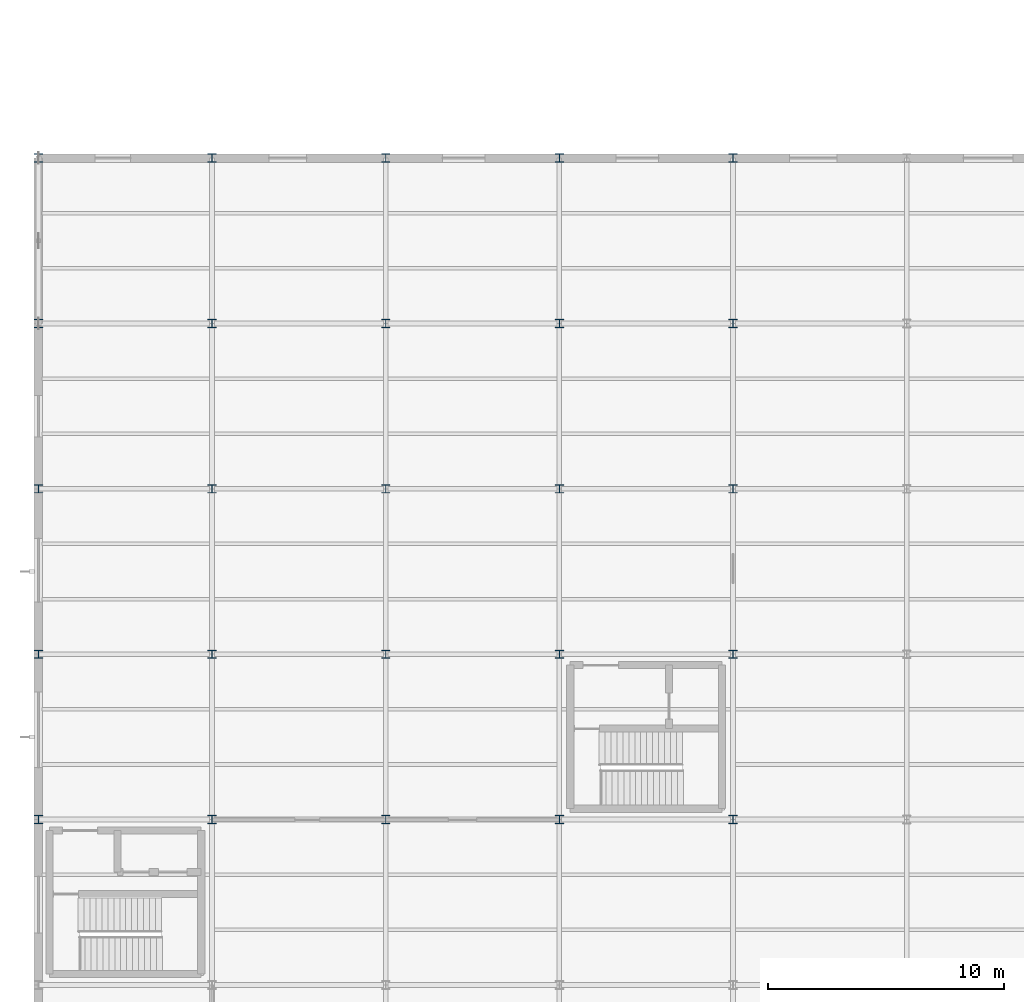
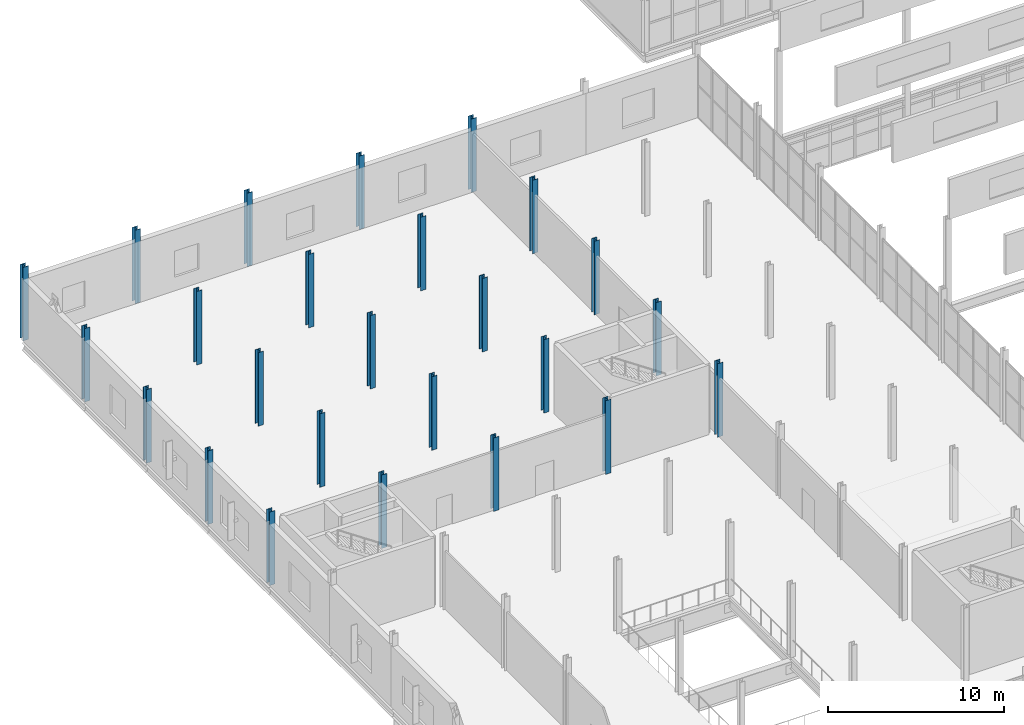
# One storey, part 3 of 218: 25 columns.
"""IFC4 building model written with IfcOpenShell, lengths in metres."""

from ifc_helpers import new_model, si_unit, direction, frame, origin, origin_2d, place, context, subcontext, project, spatial, i_section, extrude, material, material_profile, profile_set, type_object, element, save


model = new_model("IFC4")

# Units and contexts
model_context = context("Model", 3, precision=1e-05, world=origin(), true_north=direction((0.0, 1.0)))
body_context = subcontext(model_context, "Body", "Model", "MODEL_VIEW")
ifc_project = project(units=[si_unit("LENGTHUNIT", "METRE"), si_unit("AREAUNIT", "SQUARE_METRE"), si_unit("VOLUMEUNIT", "CUBIC_METRE"), si_unit("PLANEANGLEUNIT", "RADIAN"), si_unit("MASSUNIT", "GRAM", prefix="KILO")], contexts=[model_context])

# Site, building, storey
site_placement = place(None, origin())
site = spatial("IfcSite", under=ifc_project, at=site_placement, CompositionType="ELEMENT")
building_placement = place(site_placement, origin())
building = spatial("IfcBuilding", under=site, at=building_placement, Name="Kazenagashi Tramway Depot", CompositionType="ELEMENT")
storey_placement = place(building_placement, frame((0.0, 0.0, 6.0)))
storey = spatial("IfcBuildingStorey", under=building, at=storey_placement, Name="L02", CompositionType="ELEMENT", Elevation=6.0)

# Columns
ifc_material = material(Name="Steel SN490B", Category="steel")
ifc_material_profile = material_profile(ifc_material, i_section(OverallWidth=0.35, OverallDepth=0.35, WebThickness=0.012, FlangeThickness=0.019, at=origin_2d()), Name="H-350x350x12x19")
ifc_profile_set = profile_set([ifc_material_profile], Name="Steel SN490B")
column_type = type_object("IfcColumnType", Name="C-04", PredefinedType="COLUMN", material=ifc_profile_set)
for number, where, z_axis, x_axis, name in (
    (1, (0.0, 35.0, 0.0), (0.0, 0.0, 1.0), (1.0, 0.0, 0.0), "Column C-04 COL-0555"),
    (2, (0.0, 42.0, 0.0), (0.0, 0.0, 1.0), (1.0, 0.0, 0.0), "Column C-04 COL-0560"),
    (3, (0.0, 49.0, 0.0), (0.0, 0.0, 1.0), (1.0, 0.0, 0.0), "Column C-04 COL-0565"),
    (4, (0.0, 56.0, 0.0), (0.0, 0.0, 1.0), (1.0, 0.0, 0.0), "Column C-04 COL-0569"),
    (5, (0.0, 63.0, 0.0), (0.0, 0.0, 1.0), (1.0, 0.0, 0.0), "Column C-04 COL-0572"),
    (6, (7.35, 35.0, 0.0), (0.0, 0.0, 1.0), (1.0, 0.0, 0.0), "Column C-04 COL-0597"),
    (7, (7.35, 42.0, 0.0), (0.0, 0.0, 1.0), (1.0, 0.0, 0.0), "Column C-04 COL-0602"),
    (8, (7.35, 49.0, 0.0), (0.0, 0.0, 1.0), (1.0, 0.0, 0.0), "Column C-04 COL-0607"),
    (9, (7.35, 56.0, 0.0), (0.0, 0.0, 1.0), (1.0, 0.0, 0.0), "Column C-04 COL-0611"),
    (10, (7.35, 63.0, 0.0), (0.0, 0.0, 1.0), (1.0, 0.0, 0.0), "Column C-04 COL-0614"),
    (11, (14.7, 35.0, 0.0), (0.0, 0.0, 1.0), (1.0, 0.0, 0.0), "Column C-04 COL-0642"),
    (12, (14.7, 42.0, 0.0), (0.0, 0.0, 1.0), (1.0, 0.0, 0.0), "Column C-04 COL-0647"),
    (13, (14.7, 49.0, 0.0), (0.0, 0.0, 1.0), (1.0, 0.0, 0.0), "Column C-04 COL-0652"),
    (14, (14.7, 56.0, 0.0), (0.0, 0.0, 1.0), (1.0, 0.0, 0.0), "Column C-04 COL-0656"),
    (15, (14.7, 63.0, 0.0), (0.0, 0.0, 1.0), (1.0, 0.0, 0.0), "Column C-04 COL-0659"),
    (16, (22.05, 35.0, 0.0), (0.0, 0.0, 1.0), (1.0, 0.0, 0.0), "Column C-04 COL-0684"),
    (17, (22.05, 42.0, 0.0), (0.0, 0.0, 1.0), (1.0, 0.0, 0.0), "Column C-04 COL-0689"),
    (18, (22.05, 49.0, 0.0), (0.0, 0.0, 1.0), (1.0, 0.0, 0.0), "Column C-04 COL-0694"),
    (19, (22.05, 56.0, 0.0), (0.0, 0.0, 1.0), (1.0, 0.0, 0.0), "Column C-04 COL-0698"),
    (20, (22.05, 63.0, 0.0), (0.0, 0.0, 1.0), (1.0, 0.0, 0.0), "Column C-04 COL-0701"),
    (21, (29.4, 35.0, 0.0), (0.0, 0.0, 1.0), (1.0, 0.0, 0.0), "Column C-04 COL-0729"),
    (22, (29.4, 42.0, 0.0), (0.0, 0.0, 1.0), (1.0, 0.0, 0.0), "Column C-04 COL-0734"),
    (23, (29.4, 49.0, 0.0), (0.0, 0.0, 1.0), (1.0, 0.0, 0.0), "Column C-04 COL-0739"),
    (24, (29.4, 56.0, 0.0), (0.0, 0.0, 1.0), (1.0, 0.0, 0.0), "Column C-04 COL-0743"),
    (25, (29.4, 63.0, 0.0), (0.0, 0.0, 1.0), (1.0, 0.0, 0.0), "Column C-04 COL-0746"),
):
    element("IfcColumn", number, at=place(storey_placement, frame(where, z_axis=z_axis, x_axis=x_axis)), inside=storey, type_object=column_type, Name=name, PredefinedType="COLUMN", context=body_context, shape_type="SweptSolid", body=[
        extrude(i_section(OverallWidth=0.35, OverallDepth=0.35, WebThickness=0.012, FlangeThickness=0.019, at=origin_2d()), origin(), (0.0, 0.0, 1.0), 5.1),
    ])

save(model, "model.ifc")
